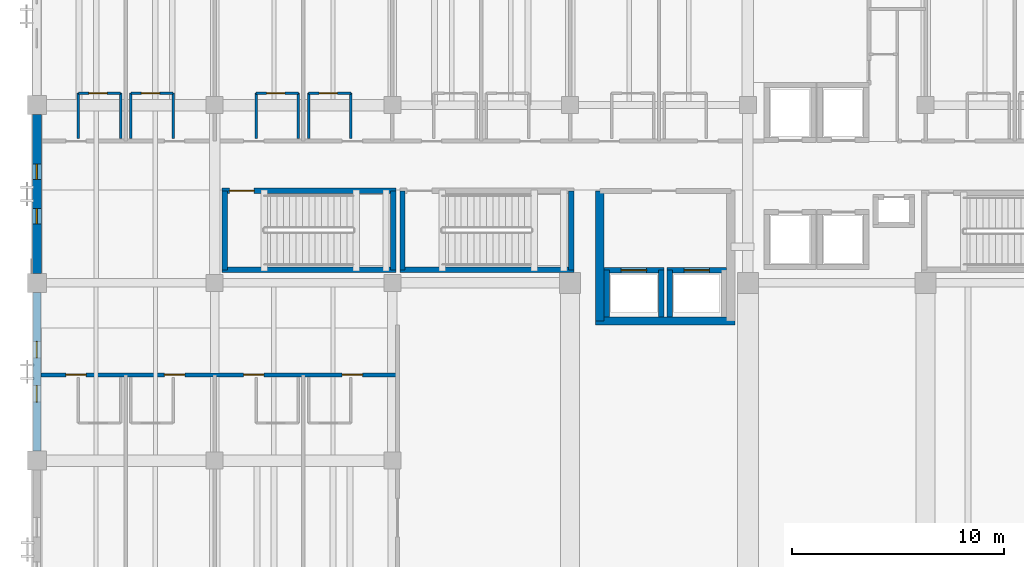
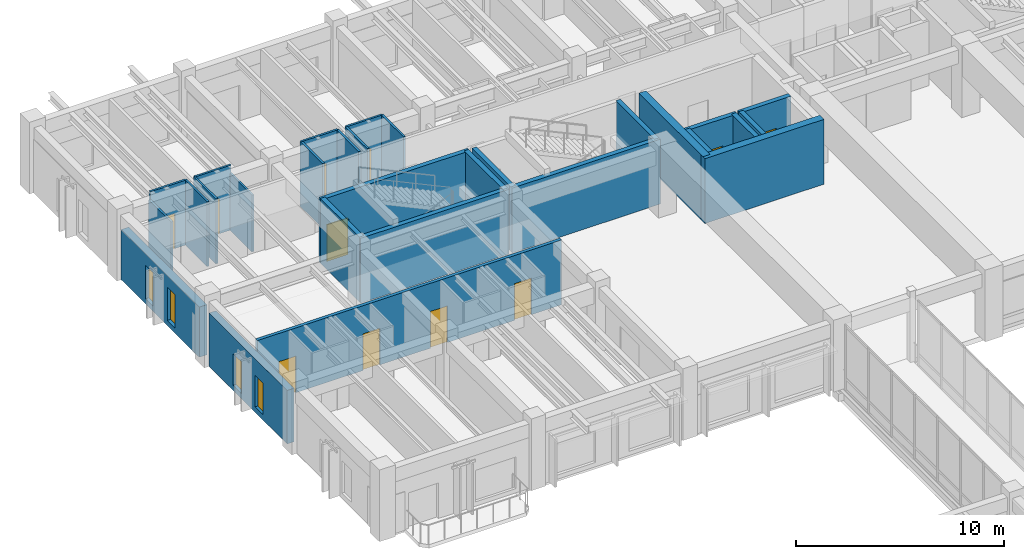
# One storey, part 86 of 132: 29 walls, 11 doors, 4 windows, 15 openings.
"""IFC4 building model written with IfcOpenShell, lengths in metres."""

from ifc_helpers import new_model, si_unit, direction, frame, frame_2d, origin, place, context, subcontext, project, spatial, rectangle, extrude, material, layer, layer_set, type_object, element, fill, save


model = new_model("IFC4")

# Units and contexts
model_context = context("Model", 3, precision=1e-05, world=origin(), true_north=direction((0.0, 1.0)))
body_context = subcontext(model_context, "Body", "Model", "MODEL_VIEW")
ifc_project = project(units=[si_unit("LENGTHUNIT", "METRE"), si_unit("AREAUNIT", "SQUARE_METRE"), si_unit("VOLUMEUNIT", "CUBIC_METRE"), si_unit("PLANEANGLEUNIT", "RADIAN"), si_unit("MASSUNIT", "GRAM", prefix="KILO")], contexts=[model_context])

# Site, building, storey
site_placement = place(None, origin())
site = spatial("IfcSite", under=ifc_project, at=site_placement, CompositionType="ELEMENT")
building_placement = place(site_placement, origin())
building = spatial("IfcBuilding", under=site, at=building_placement, Name="Cumbredor Promenade Congress Hotel", CompositionType="ELEMENT")
storey_placement = place(building_placement, frame((0.0, 0.0, 7.56005859375)))
storey = spatial("IfcBuildingStorey", under=building, at=storey_placement, Name="L02", CompositionType="ELEMENT", Elevation=7.56005859375)

# Walls
ifc_material_1 = material(Name="Concrete C50/60", Category="concrete")
ifc_layer_1 = layer(ifc_material_1, 0.39990234375, Name="Concrete C50/60", Category="concrete")
ifc_layer_set_1 = layer_set([ifc_layer_1], Name="Concrete C50/60")
wall_type_1 = type_object("IfcWallType", Name="Seismic Shear Core Wall 400mm", PredefinedType="SHEAR", material=ifc_layer_set_1)
wall_1_placement = place(storey_placement, frame((26.60009765625, 99.0, 0.0), z_axis=(0.0, 0.0, 1.0), x_axis=(0.0, 1.0, 0.0)))
element("IfcWall", 1, at=wall_1_placement, inside=storey, type_object=wall_type_1, Name="L02 Hotel Core Shear Wall W1", PredefinedType="SHEAR", context=body_context, shape_type="SweptSolid", body=[
    extrude(rectangle(XDim=6.14990234375, YDim=0.39990234375, at=frame_2d((3.074951171875, 0.0))), origin(), (0.0, 0.0, 1.0), 3.800048828125),
])
wall_2_placement = place(storey_placement, frame((26.39990234375, 99.0, 0.0), z_axis=(0.0, 0.0, 1.0), x_axis=(1.0, 0.0, 0.0)))
element("IfcWall", 2, at=wall_2_placement, inside=storey, type_object=wall_type_1, Name="L02 Hotel Core Shear Wall S1", PredefinedType="SHEAR", context=body_context, shape_type="SweptSolid", body=[
    extrude(rectangle(XDim=6.60009765625, YDim=0.39990234375, at=frame_2d((3.300048828125, 0.0))), origin(), (0.0, 0.0, 1.0), 3.800048828125),
])

# Wall, opening, door
ifc_material_2 = material(Name="Moisture-resistant gypsum board on steel studs", Category="steel")
ifc_layer_2 = layer(ifc_material_2, 0.114990234375, Name="Moisture-resistant gypsum board on steel studs", Category="steel")
ifc_layer_set_2 = layer_set([ifc_layer_2], Name="Moisture-resistant gypsum board on steel studs")
wall_type_2 = type_object("IfcWallType", Name="WL-BATH-115", PredefinedType="PARTITIONING", material=ifc_layer_set_2)
wall_3_placement = place(storey_placement, frame((1.9599609375, 109.77001953125, 0.0), z_axis=(0.0, 0.0, 1.0), x_axis=(1.0, 0.0, 0.0)))
wall_3 = element("IfcWall", 3, at=wall_3_placement, inside=storey, type_object=wall_type_2, Name="L02 Interior Partition W-L02-BH-0201", PredefinedType="PARTITIONING", context=body_context, shape_type="SweptSolid", body=[
    extrude(rectangle(XDim=2.0, YDim=0.114990234375, at=frame_2d((1.0, 0.0))), origin(), (0.0, 0.0, 1.0), 3.800048828125),
])
opening_1_placement = place(wall_3_placement, frame((0.5, 0.0, 0.0)))
opening_1 = element("IfcOpeningElement", 4, at=opening_1_placement, cuts=wall_3, Name="Opening ID-01", PredefinedType="OPENING", context=body_context, shape_type="SweptSolid", body=[
    extrude(rectangle(XDim=0.860107421875, YDim=2.050048828125, at=frame_2d((0.43017578125, 1.02490234375))), frame((0.0, 0.0673828125, 0.0), z_axis=(0.0, -1.0, 0.0), x_axis=(1.0, 0.0, 0.0)), (0.0, 0.0, 1.0), 0.135009765625),
])
ifc_material_3 = material(Name="Kiln-dried tropical hardwood", Category="wood")
door_type_1 = type_object("IfcDoorType", Name="DR-BATH-860", OperationType="NOTDEFINED", PredefinedType="DOOR", material=ifc_material_3)
door_1_placement = place(opening_1_placement, origin())
door_1 = element("IfcDoor", 5, at=door_1_placement, inside=storey, type_object=door_type_1, Name="L02 Interior Door W-L02-BH-0201-01", OperationType="SINGLE_SWING_RIGHT", OverallHeight=2.050048828125, OverallWidth=0.860107421875, PredefinedType="DOOR", context=body_context, shape_type="SweptSolid", body=[
    extrude(rectangle(XDim=0.860107421875, YDim=2.050048828125, at=frame_2d((0.43017578125, 1.02490234375))), frame((0.0, 0.02490234375, 0.0), z_axis=(0.0, -1.0, 0.0), x_axis=(1.0, 0.0, 0.0)), (0.0, 0.0, 1.0), 0.050048828125),
])
fill(opening_1, door_1)

# Walls
wall_4_placement = place(storey_placement, frame((1.9599609375, 107.6201171875, 0.0), z_axis=(0.0, 0.0, 1.0), x_axis=(0.0, 1.0, 0.0)))
element("IfcWall", 6, at=wall_4_placement, inside=storey, type_object=wall_type_2, Name="L02 Interior Partition W-L02-BV1-0201", PredefinedType="PARTITIONING", context=body_context, shape_type="SweptSolid", body=[
    extrude(rectangle(XDim=2.14990234375, YDim=0.114990234375, at=frame_2d((1.074951171875, 0.0))), origin(), (0.0, 0.0, 1.0), 3.322021484375),
])
wall_5_placement = place(storey_placement, frame((3.9599609375, 107.6201171875, 0.0), z_axis=(0.0, 0.0, 1.0), x_axis=(0.0, 1.0, 0.0)))
element("IfcWall", 7, at=wall_5_placement, inside=storey, type_object=wall_type_2, Name="L02 Interior Partition W-L02-BV2-0201", PredefinedType="PARTITIONING", context=body_context, shape_type="SweptSolid", body=[
    extrude(rectangle(XDim=2.14990234375, YDim=0.114990234375, at=frame_2d((1.074951171875, 0.0))), origin(), (0.0, 0.0, 1.0), 3.800048828125),
])

# Wall, opening, door
wall_6_placement = place(storey_placement, frame((4.43994140625, 109.77001953125, 0.0), z_axis=(0.0, 0.0, 1.0), x_axis=(1.0, 0.0, 0.0)))
wall_6 = element("IfcWall", 8, at=wall_6_placement, inside=storey, type_object=wall_type_2, Name="L02 Interior Partition W-L02-BH-0202", PredefinedType="PARTITIONING", context=body_context, shape_type="SweptSolid", body=[
    extrude(rectangle(XDim=2.0, YDim=0.114990234375, at=frame_2d((1.0, 0.0))), origin(), (0.0, 0.0, 1.0), 3.800048828125),
])
opening_2_placement = place(wall_6_placement, frame((0.5, 0.0, 0.0)))
opening_2 = element("IfcOpeningElement", 9, at=opening_2_placement, cuts=wall_6, Name="Opening ID-01", PredefinedType="OPENING", context=body_context, shape_type="SweptSolid", body=[
    extrude(rectangle(XDim=0.860107421875, YDim=2.050048828125, at=frame_2d((0.43017578125, 1.02490234375))), frame((0.0, 0.0673828125, 0.0), z_axis=(0.0, -1.0, 0.0), x_axis=(1.0, 0.0, 0.0)), (0.0, 0.0, 1.0), 0.135009765625),
])
door_2_placement = place(opening_2_placement, origin())
door_2 = element("IfcDoor", 10, at=door_2_placement, inside=storey, type_object=door_type_1, Name="L02 Interior Door W-L02-BH-0202-01", OperationType="SINGLE_SWING_LEFT", OverallHeight=2.050048828125, OverallWidth=0.860107421875, PredefinedType="DOOR", context=body_context, shape_type="SweptSolid", body=[
    extrude(rectangle(XDim=0.860107421875, YDim=2.050048828125, at=frame_2d((0.43017578125, 1.02490234375))), frame((0.0, 0.02490234375, 0.0), z_axis=(0.0, -1.0, 0.0), x_axis=(1.0, 0.0, 0.0)), (0.0, 0.0, 1.0), 0.050048828125),
])
fill(opening_2, door_2)

# Walls
wall_7_placement = place(storey_placement, frame((4.43994140625, 107.6201171875, 0.0), z_axis=(0.0, 0.0, 1.0), x_axis=(0.0, 1.0, 0.0)))
element("IfcWall", 11, at=wall_7_placement, inside=storey, type_object=wall_type_2, Name="L02 Interior Partition W-L02-BV1-0202", PredefinedType="PARTITIONING", context=body_context, shape_type="SweptSolid", body=[
    extrude(rectangle(XDim=2.14990234375, YDim=0.114990234375, at=frame_2d((1.074951171875, 0.0))), origin(), (0.0, 0.0, 1.0), 3.800048828125),
])
wall_8_placement = place(storey_placement, frame((6.43994140625, 107.6201171875, 0.0), z_axis=(0.0, 0.0, 1.0), x_axis=(0.0, 1.0, 0.0)))
element("IfcWall", 12, at=wall_8_placement, inside=storey, type_object=wall_type_2, Name="L02 Interior Partition W-L02-BV2-0202", PredefinedType="PARTITIONING", context=body_context, shape_type="SweptSolid", body=[
    extrude(rectangle(XDim=2.14990234375, YDim=0.114990234375, at=frame_2d((1.074951171875, 0.0))), origin(), (0.0, 0.0, 1.0), 3.322021484375),
])

# Wall, opening, door
wall_9_placement = place(storey_placement, frame((10.360107421875, 109.77001953125, 0.0), z_axis=(0.0, 0.0, 1.0), x_axis=(1.0, 0.0, 0.0)))
wall_9 = element("IfcWall", 13, at=wall_9_placement, inside=storey, type_object=wall_type_2, Name="L02 Interior Partition W-L02-BH-0203", PredefinedType="PARTITIONING", context=body_context, shape_type="SweptSolid", body=[
    extrude(rectangle(XDim=2.0, YDim=0.114990234375, at=frame_2d((1.0, 0.0))), origin(), (0.0, 0.0, 1.0), 3.800048828125),
])
opening_3_placement = place(wall_9_placement, frame((0.5, 0.0, 0.0)))
opening_3 = element("IfcOpeningElement", 14, at=opening_3_placement, cuts=wall_9, Name="Opening ID-01", PredefinedType="OPENING", context=body_context, shape_type="SweptSolid", body=[
    extrude(rectangle(XDim=0.860107421875, YDim=2.050048828125, at=frame_2d((0.43017578125, 1.02490234375))), frame((0.0, 0.0673828125, 0.0), z_axis=(0.0, -1.0, 0.0), x_axis=(1.0, 0.0, 0.0)), (0.0, 0.0, 1.0), 0.135009765625),
])
door_3_placement = place(opening_3_placement, origin())
door_3 = element("IfcDoor", 15, at=door_3_placement, inside=storey, type_object=door_type_1, Name="L02 Interior Door W-L02-BH-0203-01", OperationType="SINGLE_SWING_RIGHT", OverallHeight=2.050048828125, OverallWidth=0.860107421875, PredefinedType="DOOR", context=body_context, shape_type="SweptSolid", body=[
    extrude(rectangle(XDim=0.860107421875, YDim=2.050048828125, at=frame_2d((0.43017578125, 1.02490234375))), frame((0.0, 0.02490234375, 0.0), z_axis=(0.0, -1.0, 0.0), x_axis=(1.0, 0.0, 0.0)), (0.0, 0.0, 1.0), 0.050048828125),
])
fill(opening_3, door_3)

# Walls
for number, where, z_axis, x_axis, name in (
    (16, (10.360107421875, 107.6201171875, 0.0), (0.0, 0.0, 1.0), (0.0, 1.0, 0.0), "L02 Interior Partition W-L02-BV1-0203"),
    (17, (12.360107421875, 107.6201171875, 0.0), (0.0, 0.0, 1.0), (0.0, 1.0, 0.0), "L02 Interior Partition W-L02-BV2-0203"),
):
    element("IfcWall", number, at=place(storey_placement, frame(where, z_axis=z_axis, x_axis=x_axis)), inside=storey, type_object=wall_type_2, Name=name, PredefinedType="PARTITIONING", context=body_context, shape_type="SweptSolid", body=[
        extrude(rectangle(XDim=2.14990234375, YDim=0.114990234375, at=frame_2d((1.074951171875, 0.0))), origin(), (0.0, 0.0, 1.0), 3.800048828125),
    ])

# Wall, opening, door
wall_10_placement = place(storey_placement, frame((12.840087890625, 109.77001953125, 0.0), z_axis=(0.0, 0.0, 1.0), x_axis=(1.0, 0.0, 0.0)))
wall_10 = element("IfcWall", 18, at=wall_10_placement, inside=storey, type_object=wall_type_2, Name="L02 Interior Partition W-L02-BH-0204", PredefinedType="PARTITIONING", context=body_context, shape_type="SweptSolid", body=[
    extrude(rectangle(XDim=2.0, YDim=0.114990234375, at=frame_2d((1.0, 0.0))), origin(), (0.0, 0.0, 1.0), 3.800048828125),
])
opening_4_placement = place(wall_10_placement, frame((0.5, 0.0, 0.0)))
opening_4 = element("IfcOpeningElement", 19, at=opening_4_placement, cuts=wall_10, Name="Opening ID-01", PredefinedType="OPENING", context=body_context, shape_type="SweptSolid", body=[
    extrude(rectangle(XDim=0.860107421875, YDim=2.050048828125, at=frame_2d((0.43017578125, 1.02490234375))), frame((0.0, 0.0673828125, 0.0), z_axis=(0.0, -1.0, 0.0), x_axis=(1.0, 0.0, 0.0)), (0.0, 0.0, 1.0), 0.135009765625),
])
door_4_placement = place(opening_4_placement, origin())
door_4 = element("IfcDoor", 20, at=door_4_placement, inside=storey, type_object=door_type_1, Name="L02 Interior Door W-L02-BH-0204-01", OperationType="SINGLE_SWING_LEFT", OverallHeight=2.050048828125, OverallWidth=0.860107421875, PredefinedType="DOOR", context=body_context, shape_type="SweptSolid", body=[
    extrude(rectangle(XDim=0.860107421875, YDim=2.050048828125, at=frame_2d((0.43017578125, 1.02490234375))), frame((0.0, 0.02490234375, 0.0), z_axis=(0.0, -1.0, 0.0), x_axis=(1.0, 0.0, 0.0)), (0.0, 0.0, 1.0), 0.050048828125),
])
fill(opening_4, door_4)

# Walls
for number, where, z_axis, x_axis, name in (
    (21, (12.840087890625, 107.6201171875, 0.0), (0.0, 0.0, 1.0), (0.0, 1.0, 0.0), "L02 Interior Partition W-L02-BV1-0204"),
    (22, (14.840087890625, 107.6201171875, 0.0), (0.0, 0.0, 1.0), (0.0, 1.0, 0.0), "L02 Interior Partition W-L02-BV2-0204"),
):
    element("IfcWall", number, at=place(storey_placement, frame(where, z_axis=z_axis, x_axis=x_axis)), inside=storey, type_object=wall_type_2, Name=name, PredefinedType="PARTITIONING", context=body_context, shape_type="SweptSolid", body=[
        extrude(rectangle(XDim=2.14990234375, YDim=0.114990234375, at=frame_2d((1.074951171875, 0.0))), origin(), (0.0, 0.0, 1.0), 3.800048828125),
    ])

# Wall, openings, doors
ifc_material_4 = material(Name="Fire-rated hotel corridor wall")
ifc_layer_3 = layer(ifc_material_4, 0.179931640625, Name="Fire-rated hotel corridor wall")
ifc_layer_set_3 = layer_set([ifc_layer_3], Name="Fire-rated hotel corridor wall")
wall_type_3 = type_object("IfcWallType", Name="WL-CORR-180", PredefinedType="PARTITIONING", material=ifc_layer_set_3)
wall_11_placement = place(storey_placement, frame((0.18994140625, 96.449951171875, 0.0), z_axis=(0.0, 0.0, 1.0), x_axis=(1.0, 0.0, 0.0)))
wall_11 = element("IfcWall", 23, at=wall_11_placement, inside=storey, type_object=wall_type_3, Name="L02 Interior Partition W-L02-WS-CORRW", PredefinedType="PARTITIONING", context=body_context, shape_type="SweptSolid", body=[
    extrude(rectangle(XDim=16.860107421875, YDim=0.179931640625, at=frame_2d((8.43017578125, 0.0))), origin(), (0.0, 0.0, 1.0), 3.800048828125),
])
opening_5_placement = place(wall_11_placement, frame((1.179931640625, 0.0, 0.0)))
opening_5 = element("IfcOpeningElement", 24, at=opening_5_placement, cuts=wall_11, Name="Opening FD-01", PredefinedType="OPENING", context=body_context, shape_type="SweptSolid", body=[
    extrude(rectangle(XDim=0.9599609375, YDim=2.14990234375, at=frame_2d((0.47998046875, 1.074951171875))), frame((0.0, 0.10009765625, 0.0), z_axis=(0.0, -1.0, 0.0), x_axis=(1.0, 0.0, 0.0)), (0.0, 0.0, 1.0), 0.199951171875),
])
opening_6_placement = place(wall_11_placement, frame((5.840087890625, 0.0, 0.0)))
opening_6 = element("IfcOpeningElement", 25, at=opening_6_placement, cuts=wall_11, Name="Opening FD-01", PredefinedType="OPENING", context=body_context, shape_type="SweptSolid", body=[
    extrude(rectangle(XDim=0.9599609375, YDim=2.14990234375, at=frame_2d((0.47998046875, 1.074951171875))), frame((0.0, 0.10009765625, 0.0), z_axis=(0.0, -1.0, 0.0), x_axis=(1.0, 0.0, 0.0)), (0.0, 0.0, 1.0), 0.199951171875),
])
opening_7_placement = place(wall_11_placement, frame((9.580078125, 0.0, 0.0)))
opening_7 = element("IfcOpeningElement", 26, at=opening_7_placement, cuts=wall_11, Name="Opening FD-01", PredefinedType="OPENING", context=body_context, shape_type="SweptSolid", body=[
    extrude(rectangle(XDim=0.9599609375, YDim=2.14990234375, at=frame_2d((0.47998046875, 1.074951171875))), frame((0.0, 0.10009765625, 0.0), z_axis=(0.0, -1.0, 0.0), x_axis=(1.0, 0.0, 0.0)), (0.0, 0.0, 1.0), 0.199951171875),
])
opening_8_placement = place(wall_11_placement, frame((14.239990234375, 0.0, 0.0)))
opening_8 = element("IfcOpeningElement", 27, at=opening_8_placement, cuts=wall_11, Name="Opening FD-01", PredefinedType="OPENING", context=body_context, shape_type="SweptSolid", body=[
    extrude(rectangle(XDim=0.9599609375, YDim=2.14990234375, at=frame_2d((0.47998046875, 1.074951171875))), frame((0.0, 0.10009765625, 0.0), z_axis=(0.0, -1.0, 0.0), x_axis=(1.0, 0.0, 0.0)), (0.0, 0.0, 1.0), 0.199951171875),
])
ifc_material_5 = material(Name="Solid-core fire-rated tropical hardwood", Category="wood")
door_type_2 = type_object("IfcDoorType", Name="DR-GUEST-FD30-950", OperationType="NOTDEFINED", PredefinedType="DOOR", material=ifc_material_5)
door_5_placement = place(opening_5_placement, origin())
door_5 = element("IfcDoor", 28, at=door_5_placement, inside=storey, type_object=door_type_2, Name="L02 Interior Door W-L02-WS-CORRW-01", OperationType="SINGLE_SWING_RIGHT", OverallHeight=2.14990234375, OverallWidth=0.9599609375, PredefinedType="DOOR", context=body_context, shape_type="SweptSolid", body=[
    extrude(rectangle(XDim=0.9599609375, YDim=2.14990234375, at=frame_2d((0.47998046875, 1.074951171875))), frame((0.0, 0.02490234375, 0.0), z_axis=(0.0, -1.0, 0.0), x_axis=(1.0, 0.0, 0.0)), (0.0, 0.0, 1.0), 0.050048828125),
])
fill(opening_5, door_5)
door_6_placement = place(opening_6_placement, origin())
door_6 = element("IfcDoor", 29, at=door_6_placement, inside=storey, type_object=door_type_2, Name="L02 Interior Door W-L02-WS-CORRW-02", OperationType="SINGLE_SWING_LEFT", OverallHeight=2.14990234375, OverallWidth=0.9599609375, PredefinedType="DOOR", context=body_context, shape_type="SweptSolid", body=[
    extrude(rectangle(XDim=0.9599609375, YDim=2.14990234375, at=frame_2d((0.47998046875, 1.074951171875))), frame((0.0, 0.02490234375, 0.0), z_axis=(0.0, -1.0, 0.0), x_axis=(1.0, 0.0, 0.0)), (0.0, 0.0, 1.0), 0.050048828125),
])
fill(opening_6, door_6)
door_7_placement = place(opening_7_placement, origin())
door_7 = element("IfcDoor", 30, at=door_7_placement, inside=storey, type_object=door_type_2, Name="L02 Interior Door W-L02-WS-CORRW-03", OperationType="SINGLE_SWING_RIGHT", OverallHeight=2.14990234375, OverallWidth=0.9599609375, PredefinedType="DOOR", context=body_context, shape_type="SweptSolid", body=[
    extrude(rectangle(XDim=0.9599609375, YDim=2.14990234375, at=frame_2d((0.47998046875, 1.074951171875))), frame((0.0, 0.02490234375, 0.0), z_axis=(0.0, -1.0, 0.0), x_axis=(1.0, 0.0, 0.0)), (0.0, 0.0, 1.0), 0.050048828125),
])
fill(opening_7, door_7)
door_8_placement = place(opening_8_placement, origin())
door_8 = element("IfcDoor", 31, at=door_8_placement, inside=storey, type_object=door_type_2, Name="L02 Interior Door W-L02-WS-CORRW-04", OperationType="SINGLE_SWING_LEFT", OverallHeight=2.14990234375, OverallWidth=0.9599609375, PredefinedType="DOOR", context=body_context, shape_type="SweptSolid", body=[
    extrude(rectangle(XDim=0.9599609375, YDim=2.14990234375, at=frame_2d((0.47998046875, 1.074951171875))), frame((0.0, 0.02490234375, 0.0), z_axis=(0.0, -1.0, 0.0), x_axis=(1.0, 0.0, 0.0)), (0.0, 0.0, 1.0), 0.050048828125),
])
fill(opening_8, door_8)

# Wall, openings, windows
ifc_material_6 = material(Name="Concrete C40/50", Category="concrete")
ifc_layer_4 = layer(ifc_material_6, 0.3798828125, Name="Concrete C40/50", Category="concrete")
ifc_layer_set_4 = layer_set([ifc_layer_4], Name="Concrete C40/50")
wall_type_4 = type_object("IfcWallType", Name="WL-EXT-380", PredefinedType="SOLIDWALL", material=ifc_layer_set_4)
wall_12_placement = place(storey_placement, frame((0.0, 92.85107421875, 0.0), z_axis=(0.0, 0.0, 1.0), x_axis=(0.0, 1.0, 0.0)))
wall_12 = element("IfcWall", 32, at=wall_12_placement, inside=storey, type_object=wall_type_4, Name="L02 Stepped Congress Hotel Wing West Envelope Wall 2", PredefinedType="SOLIDWALL", context=body_context, shape_type="SweptSolid", body=[
    extrude(rectangle(XDim=7.498046875, YDim=0.3798828125, at=frame_2d((3.7490234375, 0.0))), origin(), (0.0, 0.0, 1.0), 3.135009765625),
])
opening_9_placement = place(wall_12_placement, frame((2.30908203125, 0.0, 0.300048828125)))
opening_9 = element("IfcOpeningElement", 33, at=opening_9_placement, cuts=wall_12, Name="Opening WN-46", PredefinedType="OPENING", context=body_context, shape_type="SweptSolid", body=[
    extrude(rectangle(XDim=0.780029296875, YDim=1.85009765625, at=frame_2d((0.39013671875, 0.925048828125))), frame((0.0, 0.199951171875, 0.0), z_axis=(0.0, -1.0, 0.0), x_axis=(1.0, 0.0, 0.0)), (0.0, 0.0, 1.0), 0.39990234375),
])
opening_10_placement = place(wall_12_placement, frame((4.408935546875, 0.0, 0.300048828125)))
opening_10 = element("IfcOpeningElement", 34, at=opening_10_placement, cuts=wall_12, Name="Opening WN-46", PredefinedType="OPENING", context=body_context, shape_type="SweptSolid", body=[
    extrude(rectangle(XDim=0.780029296875, YDim=1.85009765625, at=frame_2d((0.39013671875, 0.925048828125))), frame((0.0, 0.199951171875, 0.0), z_axis=(0.0, -1.0, 0.0), x_axis=(1.0, 0.0, 0.0)), (0.0, 0.0, 1.0), 0.39990234375),
])
ifc_material_7 = material(Name="Thermally broken anodized aluminium and low-E glass", Category="aluminium")
window_type_1 = type_object("IfcWindowType", Name="Vertical Slot Window WN-46 780x1850", PartitioningType="SINGLE_PANEL", PredefinedType="WINDOW", material=ifc_material_7)
window_1_placement = place(opening_9_placement, origin())
window_1 = element("IfcWindow", 35, at=window_1_placement, inside=storey, type_object=window_type_1, Name="L02 Vertical Slot Window 0324", OverallHeight=1.85009765625, OverallWidth=0.780029296875, PartitioningType="SINGLE_PANEL", PredefinedType="WINDOW", context=body_context, shape_type="SweptSolid", body=[
    extrude(rectangle(XDim=0.780029296875, YDim=1.85009765625, at=frame_2d((0.39013671875, 0.925048828125))), frame((0.0, 0.030029296875, 0.0), z_axis=(0.0, -1.0, 0.0), x_axis=(1.0, 0.0, 0.0)), (0.0, 0.0, 1.0), 0.06005859375),
])
fill(opening_9, window_1)
window_2_placement = place(opening_10_placement, origin())
window_2 = element("IfcWindow", 36, at=window_2_placement, inside=storey, type_object=window_type_1, Name="L02 Vertical Slot Window 0325", OverallHeight=1.85009765625, OverallWidth=0.780029296875, PartitioningType="SINGLE_PANEL", PredefinedType="WINDOW", context=body_context, shape_type="SweptSolid", body=[
    extrude(rectangle(XDim=0.780029296875, YDim=1.85009765625, at=frame_2d((0.39013671875, 0.925048828125))), frame((0.0, 0.030029296875, 0.0), z_axis=(0.0, -1.0, 0.0), x_axis=(1.0, 0.0, 0.0)), (0.0, 0.0, 1.0), 0.06005859375),
])
fill(opening_10, window_2)

ifc_layer_5 = layer(ifc_material_6, 0.425048828125, Name="Concrete C40/50", Category="concrete")
ifc_layer_set_5 = layer_set([ifc_layer_5], Name="Concrete C40/50")
wall_type_5 = type_object("IfcWallType", Name="WL-EXT-425", PredefinedType="SOLIDWALL", material=ifc_layer_set_5)
wall_13_placement = place(storey_placement, frame((0.0, 101.2509765625, 0.0), z_axis=(0.0, 0.0, 1.0), x_axis=(0.0, 1.0, 0.0)))
wall_13 = element("IfcWall", 37, at=wall_13_placement, inside=storey, type_object=wall_type_5, Name="L02 Stepped Congress Hotel Wing West Envelope Wall 3", PredefinedType="SOLIDWALL", context=body_context, shape_type="SweptSolid", body=[
    extrude(rectangle(XDim=7.498046875, YDim=0.425048828125, at=frame_2d((3.7490234375, 0.0))), origin(), (0.0, 0.0, 1.0), 2.93505859375),
])
opening_11_placement = place(wall_13_placement, frame((2.339111328125, 0.0, 0.300048828125)))
opening_11 = element("IfcOpeningElement", 38, at=opening_11_placement, cuts=wall_13, Name="Opening WN-49", PredefinedType="OPENING", context=body_context, shape_type="SweptSolid", body=[
    extrude(rectangle(XDim=0.719970703125, YDim=1.949951171875, at=frame_2d((0.35986328125, 0.97509765625))), frame((0.0, 0.22265625, 0.0), z_axis=(0.0, -1.0, 0.0), x_axis=(1.0, 0.0, 0.0)), (0.0, 0.0, 1.0), 0.445068359375),
])
opening_12_placement = place(wall_13_placement, frame((4.43896484375, 0.0, 0.300048828125)))
opening_12 = element("IfcOpeningElement", 39, at=opening_12_placement, cuts=wall_13, Name="Opening WN-49", PredefinedType="OPENING", context=body_context, shape_type="SweptSolid", body=[
    extrude(rectangle(XDim=0.719970703125, YDim=1.949951171875, at=frame_2d((0.35986328125, 0.97509765625))), frame((0.0, 0.22265625, 0.0), z_axis=(0.0, -1.0, 0.0), x_axis=(1.0, 0.0, 0.0)), (0.0, 0.0, 1.0), 0.445068359375),
])
window_type_2 = type_object("IfcWindowType", Name="Vertical Slot Window WN-49 720x1950", PartitioningType="SINGLE_PANEL", PredefinedType="WINDOW", material=ifc_material_7)
window_3_placement = place(opening_11_placement, origin())
window_3 = element("IfcWindow", 40, at=window_3_placement, inside=storey, type_object=window_type_2, Name="L02 Vertical Slot Window 0326", OverallHeight=1.949951171875, OverallWidth=0.719970703125, PartitioningType="SINGLE_PANEL", PredefinedType="WINDOW", context=body_context, shape_type="SweptSolid", body=[
    extrude(rectangle(XDim=0.719970703125, YDim=1.949951171875, at=frame_2d((0.35986328125, 0.97509765625))), frame((0.0, 0.030029296875, 0.0), z_axis=(0.0, -1.0, 0.0), x_axis=(1.0, 0.0, 0.0)), (0.0, 0.0, 1.0), 0.06005859375),
])
fill(opening_11, window_3)
window_4_placement = place(opening_12_placement, origin())
window_4 = element("IfcWindow", 41, at=window_4_placement, inside=storey, type_object=window_type_2, Name="L02 Vertical Slot Window 0327", OverallHeight=1.949951171875, OverallWidth=0.719970703125, PartitioningType="SINGLE_PANEL", PredefinedType="WINDOW", context=body_context, shape_type="SweptSolid", body=[
    extrude(rectangle(XDim=0.719970703125, YDim=1.949951171875, at=frame_2d((0.35986328125, 0.97509765625))), frame((0.0, 0.030029296875, 0.0), z_axis=(0.0, -1.0, 0.0), x_axis=(1.0, 0.0, 0.0)), (0.0, 0.0, 1.0), 0.06005859375),
])
fill(opening_12, window_4)

# Wall
ifc_layer_6 = layer(ifc_material_6, 0.2548828125, Name="Concrete C40/50", Category="concrete")
ifc_layer_set_6 = layer_set([ifc_layer_6], Name="Concrete C40/50")
wall_type_6 = type_object("IfcWallType", Name="WL-SHAFT-250", PredefinedType="SOLIDWALL", material=ifc_layer_set_6)
wall_14_placement = place(storey_placement, frame((8.75244140625, 101.419921875, 0.0), z_axis=(0.0, 0.0, 1.0), x_axis=(1.0, 0.0, 0.0)))
element("IfcWall", 42, at=wall_14_placement, inside=storey, type_object=wall_type_6, Name="STAIR-ST-01-L02 Shaft Wall South", PredefinedType="SOLIDWALL", context=body_context, shape_type="SweptSolid", body=[
    extrude(rectangle(XDim=8.22509765625, YDim=0.2548828125, at=frame_2d((4.112548828125, 0.0))), origin(), (0.0, 0.0, 1.0), 3.800048828125),
])

# Wall, opening, door
wall_15_placement = place(storey_placement, frame((8.75244140625, 105.14990234375, 0.0), z_axis=(0.0, 0.0, 1.0), x_axis=(1.0, 0.0, 0.0)))
wall_15 = element("IfcWall", 43, at=wall_15_placement, inside=storey, type_object=wall_type_6, Name="STAIR-ST-01-L02 Shaft Wall North", PredefinedType="SOLIDWALL", context=body_context, shape_type="SweptSolid", body=[
    extrude(rectangle(XDim=8.22509765625, YDim=0.2548828125, at=frame_2d((4.112548828125, 0.0))), origin(), (0.0, 0.0, 1.0), 3.800048828125),
])
opening_13_placement = place(wall_15_placement, frame((0.35009765625, 0.0, 0.0)))
opening_13 = element("IfcOpeningElement", 44, at=opening_13_placement, cuts=wall_15, Name="Opening SD-01", PredefinedType="OPENING", context=body_context, shape_type="SweptSolid", body=[
    extrude(rectangle(XDim=1.159912109375, YDim=2.14990234375, at=frame_2d((0.580078125, 1.074951171875))), frame((0.0, 0.137451171875, 0.0), z_axis=(0.0, -1.0, 0.0), x_axis=(1.0, 0.0, 0.0)), (0.0, 0.0, 1.0), 0.27490234375),
])
ifc_material_8 = material(Name="Painted galvanized steel fire door", Category="steel")
door_type_3 = type_object("IfcDoorType", Name="DR-STAIR-FD90-1150", OperationType="NOTDEFINED", PredefinedType="DOOR", material=ifc_material_8)
door_9_placement = place(opening_13_placement, origin())
door_9 = element("IfcDoor", 45, at=door_9_placement, inside=storey, type_object=door_type_3, Name="L02 Protected Exit Stair ST-01 Door", OperationType="SINGLE_SWING_RIGHT", OverallHeight=2.14990234375, OverallWidth=1.159912109375, PredefinedType="DOOR", context=body_context, shape_type="SweptSolid", body=[
    extrude(rectangle(XDim=1.159912109375, YDim=2.14990234375, at=frame_2d((0.580078125, 1.074951171875))), frame((0.0, 0.02490234375, 0.0), z_axis=(0.0, -1.0, 0.0), x_axis=(1.0, 0.0, 0.0)), (0.0, 0.0, 1.0), 0.050048828125),
])
fill(opening_13, door_9)

# Walls
for number, where, z_axis, x_axis, name in (
    (46, (8.8798828125, 101.419921875, 0.0), (0.0, 0.0, 1.0), (0.0, 1.0, 0.0), "STAIR-ST-01-L02 Shaft Wall West"),
    (47, (16.85009765625, 101.419921875, 0.0), (0.0, 0.0, 1.0), (0.0, 1.0, 0.0), "STAIR-ST-01-L02 Shaft Wall East"),
):
    element("IfcWall", number, at=place(storey_placement, frame(where, z_axis=z_axis, x_axis=x_axis)), inside=storey, type_object=wall_type_6, Name=name, PredefinedType="SOLIDWALL", context=body_context, shape_type="SweptSolid", body=[
        extrude(rectangle(XDim=3.72998046875, YDim=0.2548828125, at=frame_2d((1.864990234375, 0.0))), origin(), (0.0, 0.0, 1.0), 3.800048828125),
    ])
wall_16_placement = place(storey_placement, frame((17.152587890625, 101.419921875, 0.0), z_axis=(0.0, 0.0, 1.0), x_axis=(1.0, 0.0, 0.0)))
element("IfcWall", 48, at=wall_16_placement, inside=storey, type_object=wall_type_6, Name="STAIR-ST-02-L02 Shaft Wall South", PredefinedType="SOLIDWALL", context=body_context, shape_type="SweptSolid", body=[
    extrude(rectangle(XDim=8.224853515625, YDim=0.2548828125, at=frame_2d((4.1123046875, 0.0))), origin(), (0.0, 0.0, 1.0), 3.800048828125),
])
for number, where, z_axis, x_axis, name in (
    (49, (17.280029296875, 101.419921875, 0.0), (0.0, 0.0, 1.0), (0.0, 1.0, 0.0), "STAIR-ST-02-L02 Shaft Wall West"),
    (50, (25.25, 101.419921875, 0.0), (0.0, 0.0, 1.0), (0.0, 1.0, 0.0), "STAIR-ST-02-L02 Shaft Wall East"),
):
    element("IfcWall", number, at=place(storey_placement, frame(where, z_axis=z_axis, x_axis=x_axis)), inside=storey, type_object=wall_type_6, Name=name, PredefinedType="SOLIDWALL", context=body_context, shape_type="SweptSolid", body=[
        extrude(rectangle(XDim=3.72998046875, YDim=0.2548828125, at=frame_2d((1.864990234375, 0.0))), origin(), (0.0, 0.0, 1.0), 3.800048828125),
    ])

# Wall, opening, door
wall_17_placement = place(storey_placement, frame((26.802490234375, 101.39990234375, 0.0), z_axis=(0.0, 0.0, 1.0), x_axis=(1.0, 0.0, 0.0)))
wall_17 = element("IfcWall", 51, at=wall_17_placement, inside=storey, type_object=wall_type_6, Name="SHAFT-FF-01-L02 Shaft Wall North", PredefinedType="SOLIDWALL", context=body_context, shape_type="SweptSolid", body=[
    extrude(rectangle(XDim=2.824951171875, YDim=0.2548828125, at=frame_2d((1.41259765625, 0.0))), origin(), (0.0, 0.0, 1.0), 3.800048828125),
])
opening_14_placement = place(wall_17_placement, frame((0.8125, 0.0, 0.0)))
opening_14 = element("IfcOpeningElement", 52, at=opening_14_placement, cuts=wall_17, Name="Opening LD-02", PredefinedType="OPENING", context=body_context, shape_type="SweptSolid", body=[
    extrude(rectangle(XDim=1.199951171875, YDim=2.199951171875, at=frame_2d((0.60009765625, 1.10009765625))), frame((0.0, 0.137451171875, 0.0), z_axis=(0.0, -1.0, 0.0), x_axis=(1.0, 0.0, 0.0)), (0.0, 0.0, 1.0), 0.27490234375),
])
ifc_material_9 = material(Name="Brushed stainless steel", Category="steel")
door_type_4 = type_object("IfcDoorType", Name="Firefighting Lift Sliding Door LD-02 1200x2200", OperationType="DOUBLE_DOOR_SLIDING", PredefinedType="DOOR", material=ifc_material_9)
door_10_placement = place(opening_14_placement, origin())
door_10 = element("IfcDoor", 53, at=door_10_placement, inside=storey, type_object=door_type_4, Name="L02 Firefighting Lift FF-01 Sliding Landing Door", OperationType="DOUBLE_DOOR_SLIDING", OverallHeight=2.199951171875, OverallWidth=1.199951171875, PredefinedType="DOOR", context=body_context, shape_type="SweptSolid", body=[
    extrude(rectangle(XDim=1.199951171875, YDim=2.199951171875, at=frame_2d((0.60009765625, 1.10009765625))), frame((0.0, 0.02490234375, 0.0), z_axis=(0.0, -1.0, 0.0), x_axis=(1.0, 0.0, 0.0)), (0.0, 0.0, 1.0), 0.050048828125),
])
fill(opening_14, door_10)

# Walls
for number, where, z_axis, x_axis, name in (
    (54, (26.929931640625, 99.199951171875, 0.0), (0.0, 0.0, 1.0), (0.0, 1.0, 0.0), "SHAFT-FF-01-L02 Shaft Wall West"),
    (55, (29.5, 99.199951171875, 0.0), (0.0, 0.0, 1.0), (0.0, 1.0, 0.0), "SHAFT-FF-01-L02 Shaft Wall East"),
):
    element("IfcWall", number, at=place(storey_placement, frame(where, z_axis=z_axis, x_axis=x_axis)), inside=storey, type_object=wall_type_6, Name=name, PredefinedType="SOLIDWALL", context=body_context, shape_type="SweptSolid", body=[
        extrude(rectangle(XDim=2.199951171875, YDim=0.2548828125, at=frame_2d((1.10009765625, 0.0))), origin(), (0.0, 0.0, 1.0), 3.800048828125),
    ])

# Wall, opening, door
wall_18_placement = place(storey_placement, frame((29.7724609375, 101.39990234375, 0.0), z_axis=(0.0, 0.0, 1.0), x_axis=(1.0, 0.0, 0.0)))
wall_18 = element("IfcWall", 56, at=wall_18_placement, inside=storey, type_object=wall_type_6, Name="SHAFT-FF-02-L02 Shaft Wall North", PredefinedType="SOLIDWALL", context=body_context, shape_type="SweptSolid", body=[
    extrude(rectangle(XDim=2.824951171875, YDim=0.2548828125, at=frame_2d((1.41259765625, 0.0))), origin(), (0.0, 0.0, 1.0), 3.800048828125),
])
opening_15_placement = place(wall_18_placement, frame((0.8125, 0.0, 0.0)))
opening_15 = element("IfcOpeningElement", 57, at=opening_15_placement, cuts=wall_18, Name="Opening LD-02", PredefinedType="OPENING", context=body_context, shape_type="SweptSolid", body=[
    extrude(rectangle(XDim=1.199951171875, YDim=2.199951171875, at=frame_2d((0.60009765625, 1.10009765625))), frame((0.0, 0.137451171875, 0.0), z_axis=(0.0, -1.0, 0.0), x_axis=(1.0, 0.0, 0.0)), (0.0, 0.0, 1.0), 0.27490234375),
])
door_11_placement = place(opening_15_placement, origin())
door_11 = element("IfcDoor", 58, at=door_11_placement, inside=storey, type_object=door_type_4, Name="L02 Firefighting Lift FF-02 Sliding Landing Door", OperationType="DOUBLE_DOOR_SLIDING", OverallHeight=2.199951171875, OverallWidth=1.199951171875, PredefinedType="DOOR", context=body_context, shape_type="SweptSolid", body=[
    extrude(rectangle(XDim=1.199951171875, YDim=2.199951171875, at=frame_2d((0.60009765625, 1.10009765625))), frame((0.0, 0.02490234375, 0.0), z_axis=(0.0, -1.0, 0.0), x_axis=(1.0, 0.0, 0.0)), (0.0, 0.0, 1.0), 0.050048828125),
])
fill(opening_15, door_11)

# Wall
wall_19_placement = place(storey_placement, frame((29.89990234375, 99.199951171875, 0.0), z_axis=(0.0, 0.0, 1.0), x_axis=(0.0, 1.0, 0.0)))
element("IfcWall", 59, at=wall_19_placement, inside=storey, type_object=wall_type_6, Name="SHAFT-FF-02-L02 Shaft Wall West", PredefinedType="SOLIDWALL", context=body_context, shape_type="SweptSolid", body=[
    extrude(rectangle(XDim=2.199951171875, YDim=0.2548828125, at=frame_2d((1.10009765625, 0.0))), origin(), (0.0, 0.0, 1.0), 3.800048828125),
])

save(model, "model.ifc")
